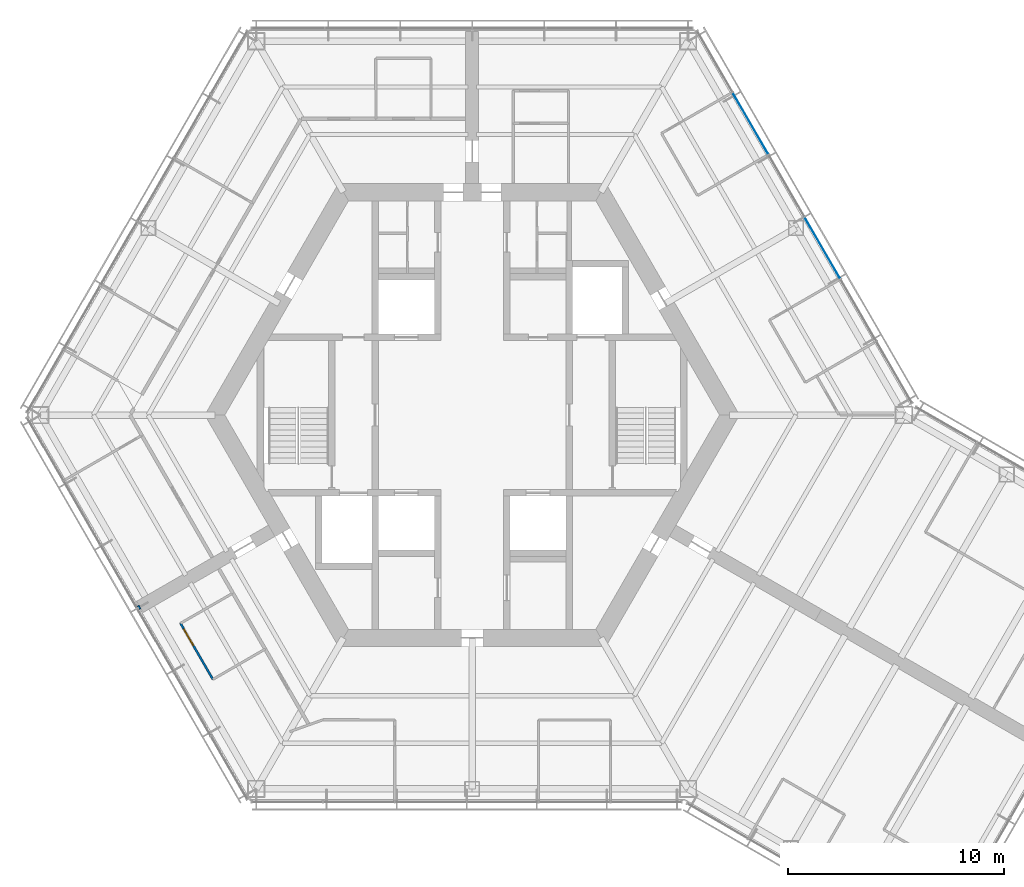
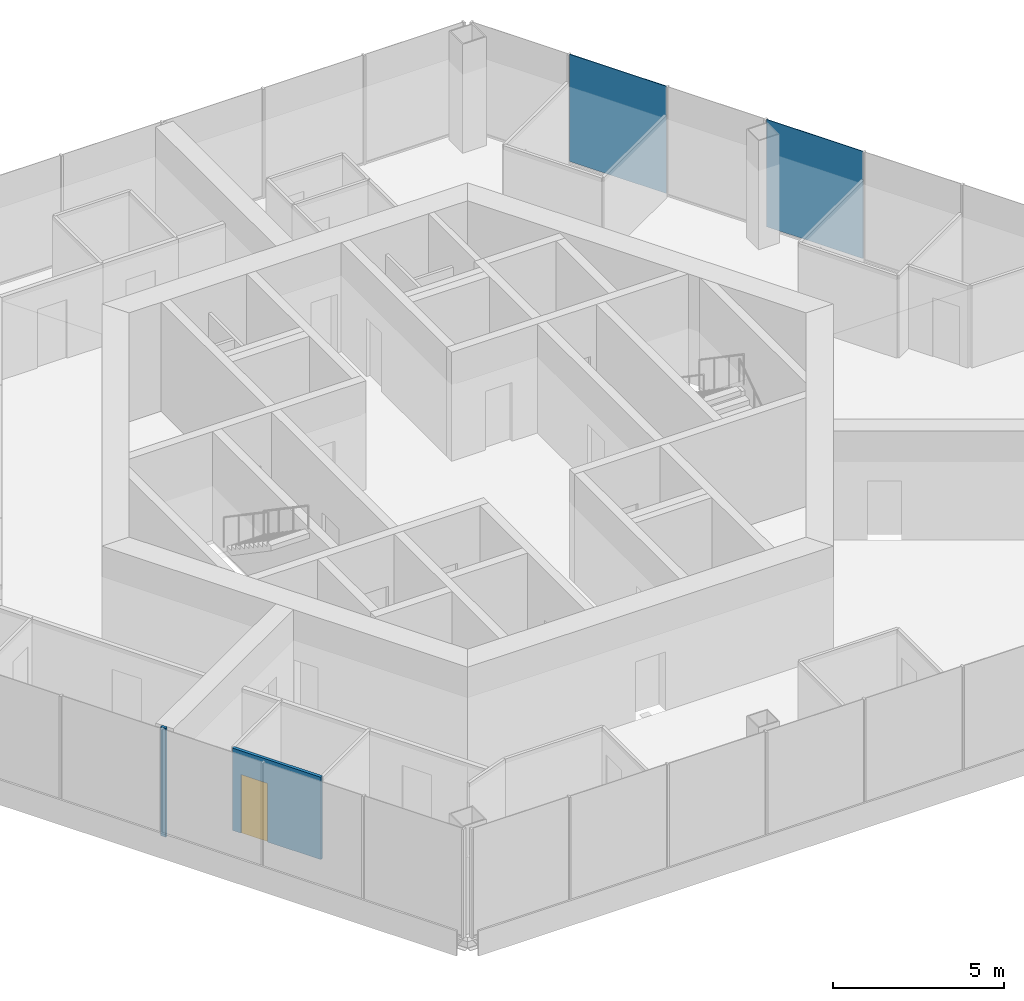
# One storey, part 9 of 16: 2 plates, 2 walls, 1 door, 1 opening, 1 element without a shape of its own.
"""IFC4 building model written with IfcOpenShell, lengths in metres."""

from ifc_helpers import new_model, si_unit, direction, frame, frame_2d, origin, origin_2d, place, context, subcontext, project, spatial, rectangle, extrude, material, layer, layer_set, type_object, element, fill, aggregate, save


model = new_model("IFC4")

# Units and contexts
model_context = context("Model", 3, precision=1e-05, world=origin(), true_north=direction((0.0, 1.0)))
body_context = subcontext(model_context, "Body", "Model", "MODEL_VIEW")
ifc_project = project(units=[si_unit("LENGTHUNIT", "METRE"), si_unit("AREAUNIT", "SQUARE_METRE"), si_unit("VOLUMEUNIT", "CUBIC_METRE"), si_unit("PLANEANGLEUNIT", "RADIAN"), si_unit("MASSUNIT", "GRAM", prefix="KILO")], contexts=[model_context])

# Site, building, storey
site_placement = place(None, origin())
site = spatial("IfcSite", under=ifc_project, at=site_placement, CompositionType="ELEMENT")
building_placement = place(site_placement, origin())
building = spatial("IfcBuilding", under=site, at=building_placement, Name="Kasaneha Research Tower", CompositionType="ELEMENT")
storey_placement = place(building_placement, frame((0.0, 0.0, 251.800048828125)))
storey = spatial("IfcBuildingStorey", under=building, at=storey_placement, Name="L63", CompositionType="ELEMENT", Elevation=251.800048828125)

# Curtain wall, plates
ifc_material_1 = material(Name="Glass and aluminium", Category="aluminium")
curtain_wall_type = type_object("IfcCurtainWallType", Name="High-rise office curtain wall", PredefinedType="USERDEFINED", material=ifc_material_1)
curtain_wall_placement = place(storey_placement, origin())
curtain_wall = element("IfcCurtainWall", 1, at=curtain_wall_placement, inside=storey, type_object=curtain_wall_type, Name="CW-O3 L63 run 01a", ObjectType="UNITISED CURTAIN WALL", PredefinedType="USERDEFINED")
ifc_material_2 = material(Name="Laminated double glazing", Category="glass")
ifc_layer_1 = layer(ifc_material_2, 0.02392578125)
ifc_layer_set_1 = layer_set([ifc_layer_1], Name="CW-O3 glazed panel")
plate_type = type_object("IfcPlateType", Name="CW-O3 glazed panel", PredefinedType="CURTAIN_PANEL", material=ifc_layer_set_1)
plate_1_placement = place(storey_placement, frame((16.2255859375, 7.737548828125, 0.06005859375), z_axis=(0.0, 0.0, 1.0), x_axis=(-0.499999979232, 0.866025415775, 0.0)))
plate_1 = element("IfcPlate", 2, at=plate_1_placement, type_object=plate_type, Name="CW-O3 panel 3", PredefinedType="CURTAIN_PANEL", context=body_context, shape_type="SweptSolid", body=[
    extrude(rectangle(XDim=3.27099609375, YDim=0.02392578125, at=origin_2d()), origin(), (0.0, 0.0, 1.0), 3.840087890625),
])
plate_2_placement = place(storey_placement, frame((12.89453125, 13.5068359375, 0.06005859375), z_axis=(0.0, 0.0, 1.0), x_axis=(-0.499999979232, 0.866025415775, 0.0)))
plate_2 = element("IfcPlate", 3, at=plate_2_placement, type_object=plate_type, Name="CW-O3 panel 5", PredefinedType="CURTAIN_PANEL", context=body_context, shape_type="SweptSolid", body=[
    extrude(rectangle(XDim=3.27099609375, YDim=0.02392578125, at=origin_2d()), origin(), (0.0, 0.0, 1.0), 3.840087890625),
])
aggregate(curtain_wall, [plate_1, plate_2])

# Wall, opening, door
ifc_material_3 = material(Name="Gypsum board on steel studs, one layer each side", Category="steel")
ifc_layer_2 = layer(ifc_material_3, 0.10009765625)
ifc_layer_set_2 = layer_set([ifc_layer_2], Name="Office partition 100")
wall_type_1 = type_object("IfcWallType", Name="Office partition 100", PredefinedType="PARTITIONING", material=ifc_layer_set_2)
wall_1_placement = place(storey_placement, frame((-12.010986328125, -12.24609375, 0.0), z_axis=(0.0, 0.0, 1.0), x_axis=(-0.50002537861, 0.866010750942, 0.0)))
wall_1 = element("IfcWall", 4, at=wall_1_placement, inside=storey, type_object=wall_type_1, Name="Office partition FBS05 L63", PredefinedType="PARTITIONING", context=body_context, shape_type="SweptSolid", body=[
    extrude(rectangle(XDim=2.999755859375, YDim=0.10009765625, at=frame_2d((1.5, 0.0))), origin(), (0.0, 0.0, 1.0), 2.949951171875),
])
opening_placement = place(wall_1_placement, frame((1.800048828125, 0.0, 0.0)))
opening = element("IfcOpeningElement", 5, at=opening_placement, cuts=wall_1, Name="Opening L63-D38", PredefinedType="OPENING", context=body_context, shape_type="SweptSolid", body=[
    extrude(rectangle(XDim=0.89990234375, YDim=2.10009765625, at=frame_2d((0.449951171875, 1.050048828125))), frame((0.0, 0.06005859375, 0.0), z_axis=(0.0, -1.0, 0.0), x_axis=(1.0, 0.0, 0.0)), (0.0, 0.0, 1.0), 0.1201171875),
])
ifc_material_4 = material(Name="Timber veneer", Category="wood")
door_type = type_object("IfcDoorType", Name="Office door 900x2100", OperationType="SINGLE_SWING_LEFT", PredefinedType="DOOR", material=ifc_material_4)
door_placement = place(opening_placement, origin())
door = element("IfcDoor", 6, at=door_placement, inside=storey, type_object=door_type, Name="Pantry door L63-D38", OperationType="SINGLE_SWING_RIGHT", OverallHeight=2.10009765625, OverallWidth=0.89990234375, PredefinedType="DOOR", context=body_context, shape_type="SweptSolid", body=[
    extrude(rectangle(XDim=0.89990234375, YDim=2.10009765625, at=frame_2d((0.449951171875, 1.050048828125))), frame((0.0, 0.02490234375, 0.0), z_axis=(0.0, -1.0, 0.0), x_axis=(1.0, 0.0, 0.0)), (0.0, 0.0, 1.0), 0.050048828125),
])
fill(opening, door)

# Wall
ifc_material_5 = material(Name="Gypsum board on steel studs, two layers each side", Category="steel")
ifc_layer_3 = layer(ifc_material_5, 0.175048828125)
ifc_layer_set_3 = layer_set([ifc_layer_3], Name="Tenancy fire partition 175")
wall_type_2 = type_object("IfcWallType", Name="Tenancy fire partition 175", PredefinedType="PARTITIONING", material=ifc_layer_set_3)
wall_2_placement = place(storey_placement, frame((-15.3896484375, -8.88525390625, 0.0), z_axis=(0.0, 0.0, 1.0), x_axis=(-0.866472036435, -0.499225610396, 0.0)))
element("IfcWall", 7, at=wall_2_placement, inside=storey, type_object=wall_type_2, Name="Spine wall closer SW4-600 L63", PredefinedType="PARTITIONING", context=body_context, shape_type="SweptSolid", body=[
    extrude(rectangle(XDim=0.085205078125, YDim=0.175048828125, at=frame_2d((0.04248046875, 0.0))), origin(), (0.0, 0.0, 1.0), 3.89990234375),
])

save(model, "model.ifc")
